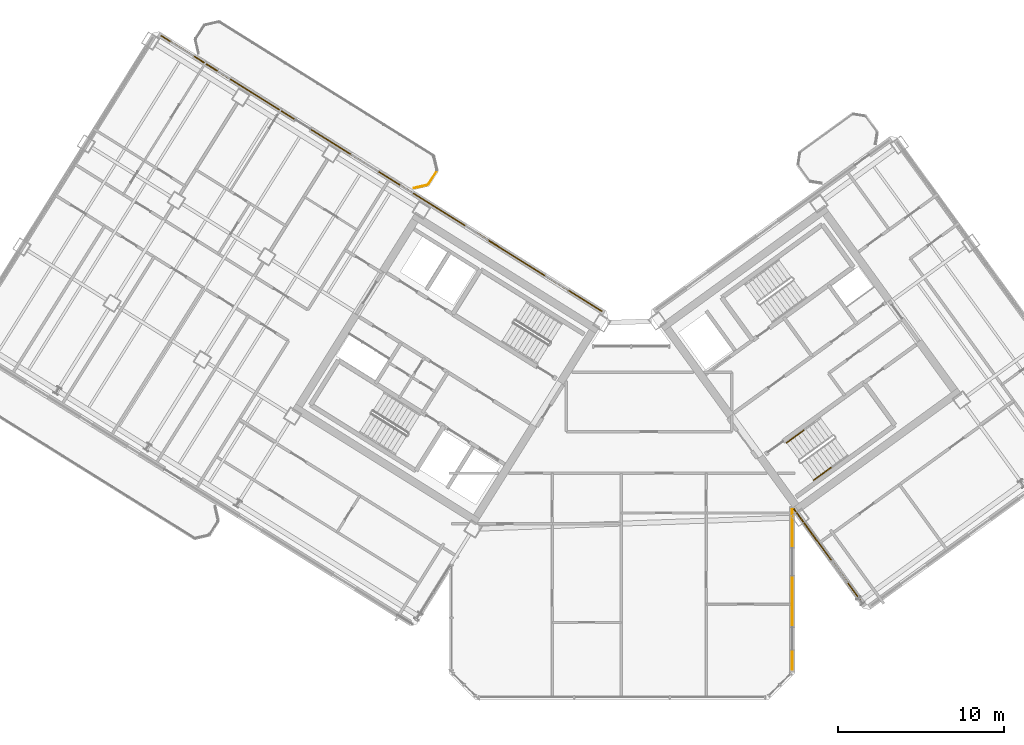
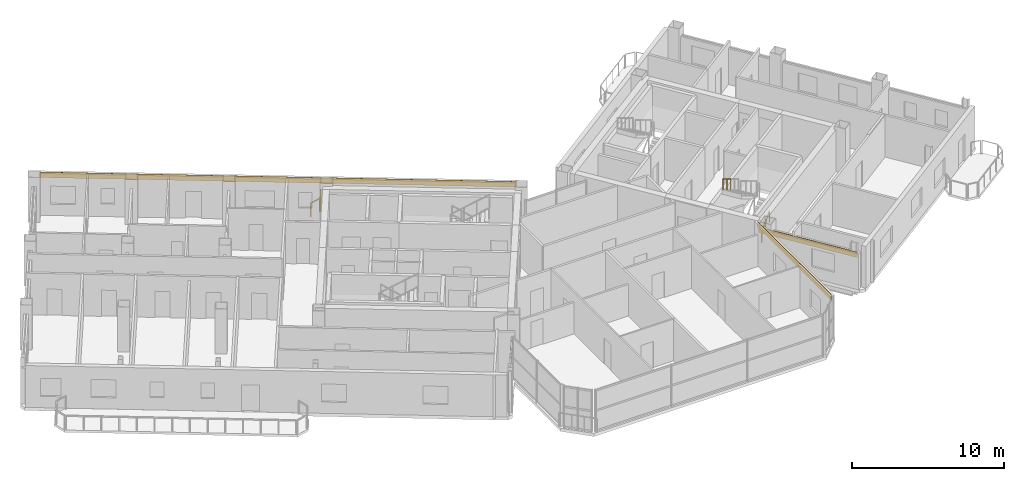
# One storey, part 26 of 29: 4 railings, 3 coverings.
"""IFC4 building model written with IfcOpenShell, lengths in metres."""

from ifc_helpers import new_model, si_unit, direction, frame, origin, origin_2d, place, context, subcontext, project, spatial, rectangle, extrude, source, transform, mapped, material, layer, layer_set, type_object, element, save


model = new_model("IFC4")

# Units and contexts
model_context = context("Model", 3, precision=1e-05, world=origin(), true_north=direction((0.0, 1.0)))
body_context = subcontext(model_context, "Body", "Model", "MODEL_VIEW")
ifc_project = project(units=[si_unit("LENGTHUNIT", "METRE"), si_unit("AREAUNIT", "SQUARE_METRE"), si_unit("VOLUMEUNIT", "CUBIC_METRE"), si_unit("PLANEANGLEUNIT", "RADIAN"), si_unit("MASSUNIT", "GRAM", prefix="KILO")], contexts=[model_context])

# Site, building, storey
site_placement = place(None, origin())
site = spatial("IfcSite", under=ifc_project, at=site_placement, CompositionType="ELEMENT")
building_placement = place(site_placement, origin())
building = spatial("IfcBuilding", under=site, at=building_placement, Name="Tlacorven Tower", CompositionType="ELEMENT")
storey_placement = place(building_placement, frame((0.0, 0.0, 238.5)))
storey = spatial("IfcBuildingStorey", under=building, at=storey_placement, Name="L60", CompositionType="ELEMENT", Elevation=238.5)

# Railings
ifc_material_1 = material(Name="Aluminium and painted steel balustrade", Category="steel")
railing_type_1 = type_object("IfcRailingType", Name="RL-BAL-1100", PredefinedType="BALUSTRADE", material=ifc_material_1)
shared_shape_1 = source(origin(), body_context, "Body", "SweptSolid", [
    extrude(rectangle(XDim=0.048095703125, YDim=0.048095703125, at=origin_2d()), frame((0.0, 0.0, 1.076171875), z_axis=(-0.52987865805, -0.848073468364, 0.0), x_axis=(0.848073468364, -0.52987865805, 0.0)), (0.0, 0.0, 1.0), 0.912353515625),
    extrude(rectangle(XDim=0.0419921875, YDim=0.0419921875, at=origin_2d()), origin(), (0.0, 0.0, 1.0), 1.052001953125),
    extrude(rectangle(XDim=0.0419921875, YDim=0.0419921875, at=origin_2d()), frame((-0.4833984375, -0.773681640625, 0.0)), (0.0, 0.0, 1.0), 1.052001953125),
])
railing_1_placement = place(storey_placement, frame((30.845947265625, 33.588623046875, 0.0)))
element("IfcRailing", 1, at=railing_1_placement, inside=storey, type_object=railing_type_1, Name="BAL-L60-W-IN Guard Railing 2", PredefinedType="BALUSTRADE", context=body_context, shape_type="MappedRepresentation", body=[
    mapped(shared_shape_1, transform((0.0, 0.0, 0.0), scale=1.0)),
])
shared_shape_2 = source(origin(), body_context, "Body", "SweptSolid", [
    extrude(rectangle(XDim=0.048095703125, YDim=0.048095703125, at=origin_2d()), frame((0.0, 0.0, 1.076171875), z_axis=(-0.974345290916, -0.225058334816, 0.0), x_axis=(0.225058334816, -0.974345290916, 0.0)), (0.0, 0.0, 1.0), 0.80712890625),
    extrude(rectangle(XDim=0.0419921875, YDim=0.0419921875, at=origin_2d()), origin(), (0.0, 0.0, 1.0), 1.052001953125),
    extrude(rectangle(XDim=0.0419921875, YDim=0.0419921875, at=origin_2d()), frame((-0.786376953125, -0.181640625, 0.0)), (0.0, 0.0, 1.0), 1.052001953125),
])
railing_2_placement = place(storey_placement, frame((30.287353515625, 32.761474609375, 0.0)))
element("IfcRailing", 2, at=railing_2_placement, inside=storey, type_object=railing_type_1, Name="BAL-L60-W-IN Guard Railing 3", PredefinedType="BALUSTRADE", context=body_context, shape_type="MappedRepresentation", body=[
    mapped(shared_shape_2, transform((0.0, 0.0, 0.0), scale=1.0)),
])

# Coverings
ifc_material_2 = material(Name="Precast concrete C45/55", Category="concrete")
ifc_layer = layer(ifc_material_2, 0.06005859375)
ifc_layer_set = layer_set([ifc_layer], Name="Precast concrete C45/55")
covering_type = type_object("IfcCoveringType", Name="CV-CLD-TERC", PredefinedType="CLADDING", material=ifc_layer_set)
shared_shape_3 = source(origin(), body_context, "Body", "SweptSolid", [
    extrude(rectangle(XDim=31.287353515625, YDim=0.06005859375, at=origin_2d()), origin(), (0.0, 0.0, 1.0), 0.419921875),
])
covering_1_placement = place(storey_placement, frame((27.5322265625, 33.455810546875, 2.929931640625), z_axis=(0.0, 0.0, 1.0), x_axis=(0.84804812172, -0.529919223323, 0.0)))
element("IfcCovering", 3, at=covering_1_placement, inside=storey, type_object=covering_type, Name="L60 Masonry-Frame Spandrel Cladding 3", PredefinedType="CLADDING", context=body_context, shape_type="MappedRepresentation", body=[
    mapped(shared_shape_3, transform((0.0, 0.0, 0.0), scale=1.0)),
])
shared_shape_4 = source(origin(), body_context, "Body", "SweptSolid", [
    extrude(rectangle(XDim=9.647705078125, YDim=0.06005859375, at=origin_2d()), origin(), (0.0, 0.0, 1.0), 0.419921875),
])
covering_2_placement = place(storey_placement, frame((52.239990234375, 8.440185546875, 2.929931640625), z_axis=(0.0, 0.0, 1.0), x_axis=(0.0, -1.0, 0.0)))
element("IfcCovering", 4, at=covering_2_placement, inside=storey, type_object=covering_type, Name="L60 Masonry-Frame Spandrel Cladding 8", PredefinedType="CLADDING", context=body_context, shape_type="MappedRepresentation", body=[
    mapped(shared_shape_4, transform((0.0, 0.0, 0.0), scale=1.0)),
])
shared_shape_5 = source(origin(), body_context, "Body", "SweptSolid", [
    extrude(rectangle(XDim=7.08544921875, YDim=0.06005859375, at=origin_2d()), origin(), (0.0, 0.0, 1.0), 0.419921875),
])
covering_3_placement = place(storey_placement, frame((54.41064453125, 10.426513671875, 2.455078125), z_axis=(0.0, 0.0, 1.0), x_axis=(-0.587785622053, 0.809016725728, 0.0)))
element("IfcCovering", 5, at=covering_3_placement, inside=storey, type_object=covering_type, Name="L60 Masonry-Frame Spandrel Cladding 7", PredefinedType="CLADDING", context=body_context, shape_type="MappedRepresentation", body=[
    mapped(shared_shape_5, transform((0.0, 0.0, 0.0), scale=1.0)),
])

# Railings
railing_type_2 = type_object("IfcRailingType", Name="RL-HND-0900", PredefinedType="HANDRAIL", material=ifc_material_1)
shared_shape_6 = source(origin(), body_context, "Body", "SweptSolid", [
    extrude(rectangle(XDim=0.048095703125, YDim=0.048095703125, at=origin_2d()), frame((0.0, 0.0, 0.8759765625), z_axis=(-0.680461216233, -0.494495647917, 0.540783309093), x_axis=(0.587872112667, -0.808953879494, 0.0)), (0.0, 0.0, 1.0), 1.498046875),
    extrude(rectangle(XDim=0.0419921875, YDim=0.0419921875, at=origin_2d()), origin(), (0.0, 0.0, 1.0), 0.851806640625),
    extrude(rectangle(XDim=0.0419921875, YDim=0.0419921875, at=origin_2d()), frame((-0.509765625, -0.370361328125, 0.405029296875)), (0.0, 0.0, 1.0), 0.851806640625),
    extrude(rectangle(XDim=0.0419921875, YDim=0.0419921875, at=origin_2d()), frame((-1.019287109375, -0.74072265625, 0.81005859375)), (0.0, 0.0, 1.0), 0.851806640625),
])
railing_3_placement = place(storey_placement, frame((52.9189453125, 18.0087890625, 2.7900390625)))
element("IfcRailing", 6, at=railing_3_placement, inside=storey, type_object=railing_type_2, Name="L60 ST-E2 stair handrail 4", PredefinedType="HANDRAIL", context=body_context, shape_type="MappedRepresentation", body=[
    mapped(shared_shape_6, transform((0.0, 0.0, 0.0), scale=1.0)),
])
shared_shape_7 = source(origin(), body_context, "Body", "SweptSolid", [
    extrude(rectangle(XDim=0.048095703125, YDim=0.048095703125, at=origin_2d()), frame((0.0, 0.0, 0.8759765625), z_axis=(0.680461216233, 0.494495647917, 0.540783309093), x_axis=(-0.587872112667, 0.808953879494, 0.0)), (0.0, 0.0, 1.0), 1.498046875),
    extrude(rectangle(XDim=0.0419921875, YDim=0.0419921875, at=origin_2d()), origin(), (0.0, 0.0, 1.0), 0.851806640625),
    extrude(rectangle(XDim=0.0419921875, YDim=0.0419921875, at=origin_2d()), frame((0.509765625, 0.370361328125, 0.405029296875)), (0.0, 0.0, 1.0), 0.851806640625),
    extrude(rectangle(XDim=0.0419921875, YDim=0.0419921875, at=origin_2d()), frame((1.019287109375, 0.74072265625, 0.81005859375)), (0.0, 0.0, 1.0), 0.851806640625),
])
railing_4_placement = place(storey_placement, frame((53.53369140625, 15.01904296875, 0.179931640625)))
element("IfcRailing", 7, at=railing_4_placement, inside=storey, type_object=railing_type_2, Name="L60 ST-E2 stair handrail 1", PredefinedType="HANDRAIL", context=body_context, shape_type="MappedRepresentation", body=[
    mapped(shared_shape_7, transform((0.0, 0.0, 0.0), scale=1.0)),
])

save(model, "model.ifc")
